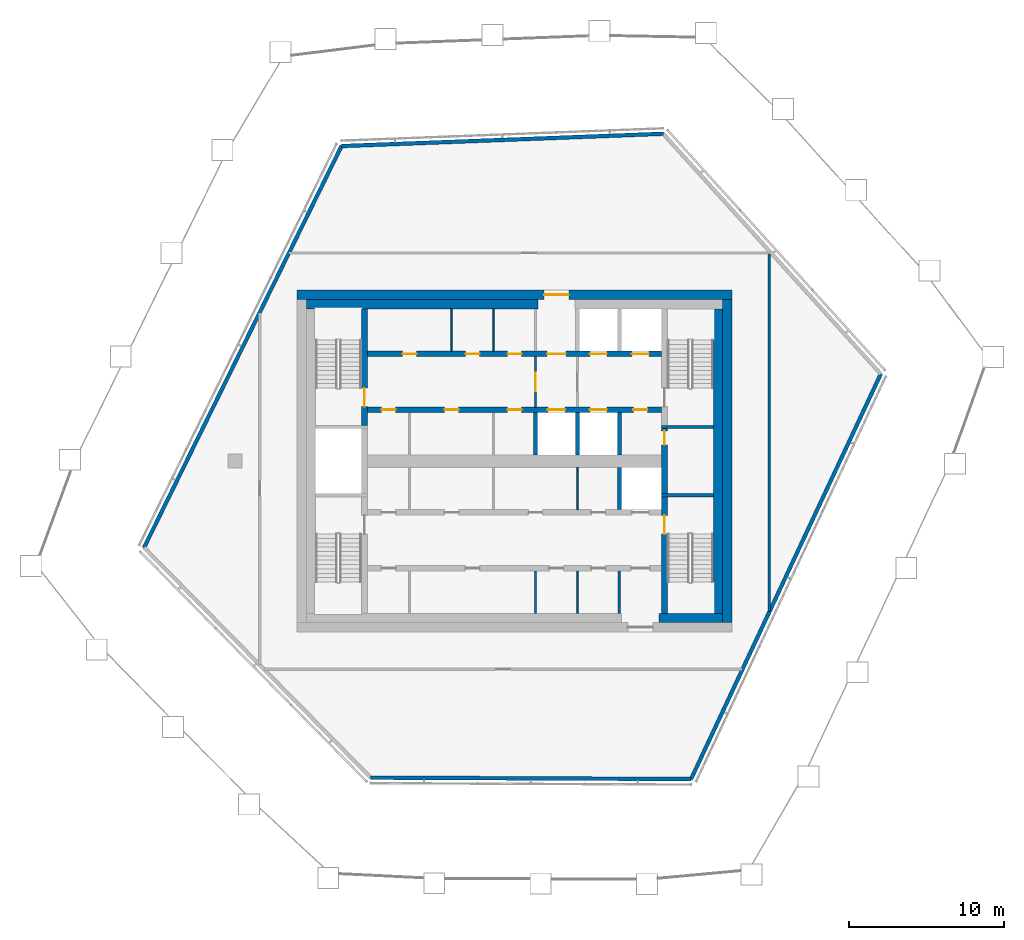
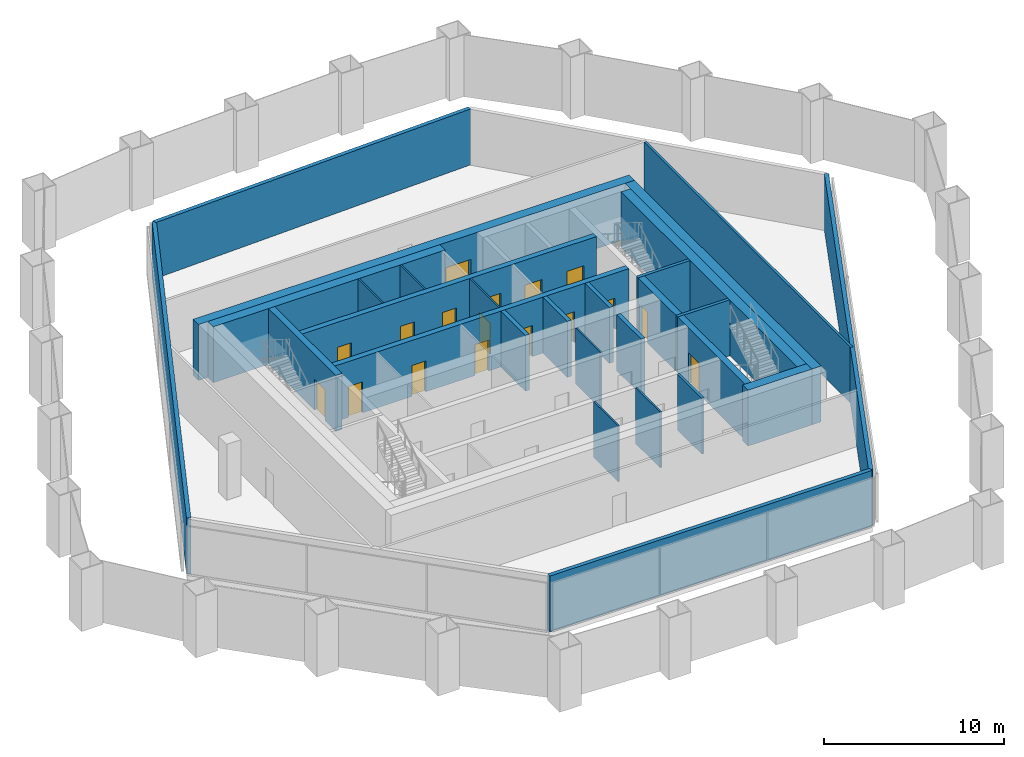
# One storey, part 8 of 18: 28 walls, 17 doors, 17 openings.
"""IFC4 building model written with IfcOpenShell, lengths in metres."""

from ifc_helpers import new_model, si_unit, direction, frame, frame_2d, origin, place, context, subcontext, project, spatial, rectangle, extrude, material, layer, layer_set, type_object, element, fill, save


model = new_model("IFC4")

# Units and contexts
model_context = context("Model", 3, precision=1e-05, world=origin(), true_north=direction((0.0, 1.0)))
body_context = subcontext(model_context, "Body", "Model", "MODEL_VIEW")
ifc_project = project(units=[si_unit("LENGTHUNIT", "METRE"), si_unit("AREAUNIT", "SQUARE_METRE"), si_unit("VOLUMEUNIT", "CUBIC_METRE"), si_unit("PLANEANGLEUNIT", "RADIAN"), si_unit("MASSUNIT", "GRAM", prefix="KILO")], contexts=[model_context])

# Site, building, storey
site_placement = place(None, origin())
site = spatial("IfcSite", under=ifc_project, at=site_placement, CompositionType="ELEMENT")
building_placement = place(site_placement, origin())
building = spatial("IfcBuilding", under=site, at=building_placement, Name="Dongbaek Canopy Tower", CompositionType="ELEMENT")
storey_placement = place(building_placement, frame((0.0, 0.0, 367.39990234375)))
storey = spatial("IfcBuildingStorey", under=building, at=storey_placement, Name="L79", CompositionType="ELEMENT", Elevation=367.39990234375)

# Wall, openings, doors
ifc_material_1 = material(Name="Concrete C60/75", Category="concrete")
ifc_layer_1 = layer(ifc_material_1, 0.35009765625)
ifc_layer_set_1 = layer_set([ifc_layer_1], Name="Core lobby wall 350 Concrete C60/75")
wall_type_1 = type_object("IfcWallType", Name="Core lobby wall 350 Concrete C60/75", PredefinedType="SHEAR", material=ifc_layer_set_1)
wall_1_placement = place(storey_placement, frame((-9.449951171875, 6.89990234375, 0.0), z_axis=(0.0, 0.0, 1.0), x_axis=(1.0, 0.0, 0.0)))
wall_1 = element("IfcWall", 1, at=wall_1_placement, inside=storey, type_object=wall_type_1, Name="Core wall", PredefinedType="SHEAR", context=body_context, shape_type="SweptSolid", body=[
    extrude(rectangle(XDim=18.89990234375, YDim=0.35009765625, at=frame_2d((9.449951171875, 0.0))), origin(), (0.0, 0.0, 1.0), 3.800048828125),
])
opening_1_placement = place(wall_1_placement, frame((11.550048828125, 0.0, 0.0)))
opening_1 = element("IfcOpeningElement", 2, at=opening_1_placement, cuts=wall_1, Name="Opening L79-D006", PredefinedType="OPENING", context=body_context, shape_type="SweptSolid", body=[
    extrude(rectangle(XDim=1.199951171875, YDim=2.10009765625, at=frame_2d((0.60009765625, 1.050048828125))), frame((0.0, 0.18505859375, 0.0), z_axis=(0.0, -1.0, 0.0), x_axis=(1.0, 0.0, 0.0)), (0.0, 0.0, 1.0), 0.3701171875),
])
opening_2_placement = place(wall_1_placement, frame((14.300048828125, 0.0, 0.0)))
opening_2 = element("IfcOpeningElement", 3, at=opening_2_placement, cuts=wall_1, Name="Opening L79-D007", PredefinedType="OPENING", context=body_context, shape_type="SweptSolid", body=[
    extrude(rectangle(XDim=1.10009765625, YDim=2.10009765625, at=frame_2d((0.550048828125, 1.050048828125))), frame((0.0, 0.18505859375, 0.0), z_axis=(0.0, -1.0, 0.0), x_axis=(1.0, 0.0, 0.0)), (0.0, 0.0, 1.0), 0.3701171875),
])
opening_3_placement = place(wall_1_placement, frame((17.0, 0.0, 0.0)))
opening_3 = element("IfcOpeningElement", 4, at=opening_3_placement, cuts=wall_1, Name="Opening L79-D008", PredefinedType="OPENING", context=body_context, shape_type="SweptSolid", body=[
    extrude(rectangle(XDim=1.10009765625, YDim=2.10009765625, at=frame_2d((0.550048828125, 1.050048828125))), frame((0.0, 0.18505859375, 0.0), z_axis=(0.0, -1.0, 0.0), x_axis=(1.0, 0.0, 0.0)), (0.0, 0.0, 1.0), 0.3701171875),
])
opening_4_placement = place(wall_1_placement, frame((2.25, 0.0, 0.0)))
opening_4 = element("IfcOpeningElement", 5, at=opening_4_placement, cuts=wall_1, Name="Opening L79-D015", PredefinedType="OPENING", context=body_context, shape_type="SweptSolid", body=[
    extrude(rectangle(XDim=0.89990234375, YDim=2.10009765625, at=frame_2d((0.449951171875, 1.050048828125))), frame((0.0, 0.18505859375, 0.0), z_axis=(0.0, -1.0, 0.0), x_axis=(1.0, 0.0, 0.0)), (0.0, 0.0, 1.0), 0.3701171875),
])
opening_5_placement = place(wall_1_placement, frame((6.300048828125, 0.0, 0.0)))
opening_5 = element("IfcOpeningElement", 6, at=opening_5_placement, cuts=wall_1, Name="Opening L79-D016", PredefinedType="OPENING", context=body_context, shape_type="SweptSolid", body=[
    extrude(rectangle(XDim=0.89990234375, YDim=2.10009765625, at=frame_2d((0.449951171875, 1.050048828125))), frame((0.0, 0.18505859375, 0.0), z_axis=(0.0, -1.0, 0.0), x_axis=(1.0, 0.0, 0.0)), (0.0, 0.0, 1.0), 0.3701171875),
])
opening_6_placement = place(wall_1_placement, frame((9.0, 0.0, 0.0)))
opening_6 = element("IfcOpeningElement", 7, at=opening_6_placement, cuts=wall_1, Name="Opening L79-D017", PredefinedType="OPENING", context=body_context, shape_type="SweptSolid", body=[
    extrude(rectangle(XDim=0.89990234375, YDim=2.10009765625, at=frame_2d((0.449951171875, 1.050048828125))), frame((0.0, 0.18505859375, 0.0), z_axis=(0.0, -1.0, 0.0), x_axis=(1.0, 0.0, 0.0)), (0.0, 0.0, 1.0), 0.3701171875),
])
ifc_material_2 = material(Name="Steel", Category="steel")
door_type_1 = type_object("IfcDoorType", Name="Core room door 900 x 2100", OperationType="SINGLE_SWING_LEFT", PredefinedType="DOOR", material=ifc_material_2)
door_1_placement = place(opening_4_placement, origin())
door_1 = element("IfcDoor", 8, at=door_1_placement, inside=storey, type_object=door_type_1, Name="Door L79-D015", OperationType="SINGLE_SWING_RIGHT", OverallHeight=2.10009765625, OverallWidth=0.89990234375, PredefinedType="DOOR", context=body_context, shape_type="SweptSolid", body=[
    extrude(rectangle(XDim=0.89990234375, YDim=2.10009765625, at=frame_2d((0.449951171875, 1.050048828125))), frame((0.0, 0.02490234375, 0.0), z_axis=(0.0, -1.0, 0.0), x_axis=(1.0, 0.0, 0.0)), (0.0, 0.0, 1.0), 0.050048828125),
])
fill(opening_4, door_1)
door_2_placement = place(opening_5_placement, origin())
door_2 = element("IfcDoor", 9, at=door_2_placement, inside=storey, type_object=door_type_1, Name="Door L79-D016", OperationType="SINGLE_SWING_LEFT", OverallHeight=2.10009765625, OverallWidth=0.89990234375, PredefinedType="DOOR", context=body_context, shape_type="SweptSolid", body=[
    extrude(rectangle(XDim=0.89990234375, YDim=2.10009765625, at=frame_2d((0.449951171875, 1.050048828125))), frame((0.0, 0.02490234375, 0.0), z_axis=(0.0, -1.0, 0.0), x_axis=(1.0, 0.0, 0.0)), (0.0, 0.0, 1.0), 0.050048828125),
])
fill(opening_5, door_2)
door_3_placement = place(opening_6_placement, origin())
door_3 = element("IfcDoor", 10, at=door_3_placement, inside=storey, type_object=door_type_1, Name="Door L79-D017", OperationType="SINGLE_SWING_RIGHT", OverallHeight=2.10009765625, OverallWidth=0.89990234375, PredefinedType="DOOR", context=body_context, shape_type="SweptSolid", body=[
    extrude(rectangle(XDim=0.89990234375, YDim=2.10009765625, at=frame_2d((0.449951171875, 1.050048828125))), frame((0.0, 0.02490234375, 0.0), z_axis=(0.0, -1.0, 0.0), x_axis=(1.0, 0.0, 0.0)), (0.0, 0.0, 1.0), 0.050048828125),
])
fill(opening_6, door_3)
ifc_material_3 = material(Name="Steel", Category="steel")
door_type_2 = type_object("IfcDoorType", Name="Fire lobby door 1200 x 2100", OperationType="SINGLE_SWING_LEFT", PredefinedType="DOOR", material=ifc_material_3)
door_4_placement = place(opening_1_placement, origin())
door_4 = element("IfcDoor", 11, at=door_4_placement, inside=storey, type_object=door_type_2, Name="Door L79-D006", OperationType="SINGLE_SWING_LEFT", OverallHeight=2.10009765625, OverallWidth=1.199951171875, PredefinedType="DOOR", context=body_context, shape_type="SweptSolid", body=[
    extrude(rectangle(XDim=1.199951171875, YDim=2.10009765625, at=frame_2d((0.60009765625, 1.050048828125))), frame((0.0, 0.02490234375, 0.0), z_axis=(0.0, -1.0, 0.0), x_axis=(1.0, 0.0, 0.0)), (0.0, 0.0, 1.0), 0.050048828125),
])
fill(opening_1, door_4)
ifc_material_4 = material(Name="Stainless steel", Category="steel")
door_type_3 = type_object("IfcDoorType", Name="Lift landing door 1100 x 2100", OperationType="DOUBLE_DOOR_SLIDING", PredefinedType="DOOR", material=ifc_material_4)
door_5_placement = place(opening_2_placement, origin())
door_5 = element("IfcDoor", 12, at=door_5_placement, inside=storey, type_object=door_type_3, Name="Landing door FF1", OperationType="DOUBLE_DOOR_SLIDING", OverallHeight=2.10009765625, OverallWidth=1.10009765625, PredefinedType="DOOR", context=body_context, shape_type="SweptSolid", body=[
    extrude(rectangle(XDim=1.10009765625, YDim=2.10009765625, at=frame_2d((0.550048828125, 1.050048828125))), frame((0.0, 0.02490234375, 0.0), z_axis=(0.0, -1.0, 0.0), x_axis=(1.0, 0.0, 0.0)), (0.0, 0.0, 1.0), 0.050048828125),
])
fill(opening_2, door_5)
door_6_placement = place(opening_3_placement, origin())
door_6 = element("IfcDoor", 13, at=door_6_placement, inside=storey, type_object=door_type_3, Name="Landing door FF2", OperationType="DOUBLE_DOOR_SLIDING", OverallHeight=2.10009765625, OverallWidth=1.10009765625, PredefinedType="DOOR", context=body_context, shape_type="SweptSolid", body=[
    extrude(rectangle(XDim=1.10009765625, YDim=2.10009765625, at=frame_2d((0.550048828125, 1.050048828125))), frame((0.0, 0.02490234375, 0.0), z_axis=(0.0, -1.0, 0.0), x_axis=(1.0, 0.0, 0.0)), (0.0, 0.0, 1.0), 0.050048828125),
])
fill(opening_3, door_6)

wall_2_placement = place(storey_placement, frame((9.449951171875, 3.300048828125, 0.0), z_axis=(0.0, 0.0, 1.0), x_axis=(-1.0, 0.0, 0.0)))
wall_2 = element("IfcWall", 14, at=wall_2_placement, inside=storey, type_object=wall_type_1, Name="Core wall", PredefinedType="SHEAR", context=body_context, shape_type="SweptSolid", body=[
    extrude(rectangle(XDim=18.89990234375, YDim=0.35009765625, at=frame_2d((9.449951171875, 0.0))), origin(), (0.0, 0.0, 1.0), 3.800048828125),
])
opening_7_placement = place(wall_2_placement, frame((6.199951171875, 0.0, 0.0)))
opening_7 = element("IfcOpeningElement", 15, at=opening_7_placement, cuts=wall_2, Name="Opening L79-D009", PredefinedType="OPENING", context=body_context, shape_type="SweptSolid", body=[
    extrude(rectangle(XDim=1.10009765625, YDim=2.10009765625, at=frame_2d((0.550048828125, 1.050048828125))), frame((0.0, 0.18505859375, 0.0), z_axis=(0.0, -1.0, 0.0), x_axis=(1.0, 0.0, 0.0)), (0.0, 0.0, 1.0), 0.3701171875),
])
opening_8_placement = place(wall_2_placement, frame((3.5, 0.0, 0.0)))
opening_8 = element("IfcOpeningElement", 16, at=opening_8_placement, cuts=wall_2, Name="Opening L79-D010", PredefinedType="OPENING", context=body_context, shape_type="SweptSolid", body=[
    extrude(rectangle(XDim=1.10009765625, YDim=2.10009765625, at=frame_2d((0.550048828125, 1.050048828125))), frame((0.0, 0.18505859375, 0.0), z_axis=(0.0, -1.0, 0.0), x_axis=(1.0, 0.0, 0.0)), (0.0, 0.0, 1.0), 0.3701171875),
])
opening_9_placement = place(wall_2_placement, frame((0.89990234375, 0.0, 0.0)))
opening_9 = element("IfcOpeningElement", 17, at=opening_9_placement, cuts=wall_2, Name="Opening L79-D011", PredefinedType="OPENING", context=body_context, shape_type="SweptSolid", body=[
    extrude(rectangle(XDim=0.89990234375, YDim=2.10009765625, at=frame_2d((0.449951171875, 1.050048828125))), frame((0.0, 0.18505859375, 0.0), z_axis=(0.0, -1.0, 0.0), x_axis=(1.0, 0.0, 0.0)), (0.0, 0.0, 1.0), 0.3701171875),
])
opening_10_placement = place(wall_2_placement, frame((17.10009765625, 0.0, 0.0)))
opening_10 = element("IfcOpeningElement", 18, at=opening_10_placement, cuts=wall_2, Name="Opening L79-D018", PredefinedType="OPENING", context=body_context, shape_type="SweptSolid", body=[
    extrude(rectangle(XDim=0.89990234375, YDim=2.10009765625, at=frame_2d((0.449951171875, 1.050048828125))), frame((0.0, 0.18505859375, 0.0), z_axis=(0.0, -1.0, 0.0), x_axis=(1.0, 0.0, 0.0)), (0.0, 0.0, 1.0), 0.3701171875),
])
opening_11_placement = place(wall_2_placement, frame((13.050048828125, 0.0, 0.0)))
opening_11 = element("IfcOpeningElement", 19, at=opening_11_placement, cuts=wall_2, Name="Opening L79-D019", PredefinedType="OPENING", context=body_context, shape_type="SweptSolid", body=[
    extrude(rectangle(XDim=0.89990234375, YDim=2.10009765625, at=frame_2d((0.449951171875, 1.050048828125))), frame((0.0, 0.18505859375, 0.0), z_axis=(0.0, -1.0, 0.0), x_axis=(1.0, 0.0, 0.0)), (0.0, 0.0, 1.0), 0.3701171875),
])
opening_12_placement = place(wall_2_placement, frame((9.0, 0.0, 0.0)))
opening_12 = element("IfcOpeningElement", 20, at=opening_12_placement, cuts=wall_2, Name="Opening L79-D020", PredefinedType="OPENING", context=body_context, shape_type="SweptSolid", body=[
    extrude(rectangle(XDim=0.89990234375, YDim=2.10009765625, at=frame_2d((0.449951171875, 1.050048828125))), frame((0.0, 0.18505859375, 0.0), z_axis=(0.0, -1.0, 0.0), x_axis=(1.0, 0.0, 0.0)), (0.0, 0.0, 1.0), 0.3701171875),
])
door_7_placement = place(opening_9_placement, origin())
door_7 = element("IfcDoor", 21, at=door_7_placement, inside=storey, type_object=door_type_1, Name="Door L79-D011", OperationType="SINGLE_SWING_LEFT", OverallHeight=2.10009765625, OverallWidth=0.89990234375, PredefinedType="DOOR", context=body_context, shape_type="SweptSolid", body=[
    extrude(rectangle(XDim=0.89990234375, YDim=2.10009765625, at=frame_2d((0.449951171875, 1.050048828125))), frame((0.0, 0.02490234375, 0.0), z_axis=(0.0, -1.0, 0.0), x_axis=(1.0, 0.0, 0.0)), (0.0, 0.0, 1.0), 0.050048828125),
])
fill(opening_9, door_7)
door_8_placement = place(opening_10_placement, origin())
door_8 = element("IfcDoor", 22, at=door_8_placement, inside=storey, type_object=door_type_1, Name="Door L79-D018", OperationType="SINGLE_SWING_LEFT", OverallHeight=2.10009765625, OverallWidth=0.89990234375, PredefinedType="DOOR", context=body_context, shape_type="SweptSolid", body=[
    extrude(rectangle(XDim=0.89990234375, YDim=2.10009765625, at=frame_2d((0.449951171875, 1.050048828125))), frame((0.0, 0.02490234375, 0.0), z_axis=(0.0, -1.0, 0.0), x_axis=(1.0, 0.0, 0.0)), (0.0, 0.0, 1.0), 0.050048828125),
])
fill(opening_10, door_8)
door_9_placement = place(opening_11_placement, origin())
door_9 = element("IfcDoor", 23, at=door_9_placement, inside=storey, type_object=door_type_1, Name="Door L79-D019", OperationType="SINGLE_SWING_RIGHT", OverallHeight=2.10009765625, OverallWidth=0.89990234375, PredefinedType="DOOR", context=body_context, shape_type="SweptSolid", body=[
    extrude(rectangle(XDim=0.89990234375, YDim=2.10009765625, at=frame_2d((0.449951171875, 1.050048828125))), frame((0.0, 0.02490234375, 0.0), z_axis=(0.0, -1.0, 0.0), x_axis=(1.0, 0.0, 0.0)), (0.0, 0.0, 1.0), 0.050048828125),
])
fill(opening_11, door_9)
door_10_placement = place(opening_12_placement, origin())
door_10 = element("IfcDoor", 24, at=door_10_placement, inside=storey, type_object=door_type_1, Name="Door L79-D020", OperationType="SINGLE_SWING_LEFT", OverallHeight=2.10009765625, OverallWidth=0.89990234375, PredefinedType="DOOR", context=body_context, shape_type="SweptSolid", body=[
    extrude(rectangle(XDim=0.89990234375, YDim=2.10009765625, at=frame_2d((0.449951171875, 1.050048828125))), frame((0.0, 0.02490234375, 0.0), z_axis=(0.0, -1.0, 0.0), x_axis=(1.0, 0.0, 0.0)), (0.0, 0.0, 1.0), 0.050048828125),
])
fill(opening_12, door_10)
door_11_placement = place(opening_7_placement, origin())
door_11 = element("IfcDoor", 25, at=door_11_placement, inside=storey, type_object=door_type_3, Name="Landing door SV1", OperationType="DOUBLE_DOOR_SLIDING", OverallHeight=2.10009765625, OverallWidth=1.10009765625, PredefinedType="DOOR", context=body_context, shape_type="SweptSolid", body=[
    extrude(rectangle(XDim=1.10009765625, YDim=2.10009765625, at=frame_2d((0.550048828125, 1.050048828125))), frame((0.0, 0.02490234375, 0.0), z_axis=(0.0, -1.0, 0.0), x_axis=(1.0, 0.0, 0.0)), (0.0, 0.0, 1.0), 0.050048828125),
])
fill(opening_7, door_11)
door_12_placement = place(opening_8_placement, origin())
door_12 = element("IfcDoor", 26, at=door_12_placement, inside=storey, type_object=door_type_3, Name="Landing door FF3", OperationType="DOUBLE_DOOR_SLIDING", OverallHeight=2.10009765625, OverallWidth=1.10009765625, PredefinedType="DOOR", context=body_context, shape_type="SweptSolid", body=[
    extrude(rectangle(XDim=1.10009765625, YDim=2.10009765625, at=frame_2d((0.550048828125, 1.050048828125))), frame((0.0, 0.02490234375, 0.0), z_axis=(0.0, -1.0, 0.0), x_axis=(1.0, 0.0, 0.0)), (0.0, 0.0, 1.0), 0.050048828125),
])
fill(opening_8, door_12)

# Wall, opening, door
ifc_material_5 = material(Name="Concrete C80/95", Category="concrete")
ifc_layer_2 = layer(ifc_material_5, 0.60009765625)
ifc_layer_set_2 = layer_set([ifc_layer_2], Name="Core outer wall 600 Concrete C80/95")
wall_type_2 = type_object("IfcWallType", Name="Core outer wall 600 Concrete C80/95", PredefinedType="SHEAR", material=ifc_layer_set_2)
wall_3_placement = place(storey_placement, frame((-14.0, 10.699951171875, 0.0), z_axis=(0.0, 0.0, 1.0), x_axis=(1.0, 0.0, 0.0)))
wall_3 = element("IfcWall", 27, at=wall_3_placement, inside=storey, type_object=wall_type_2, Name="Core wall", PredefinedType="SHEAR", context=body_context, shape_type="SweptSolid", body=[
    extrude(rectangle(XDim=28.0, YDim=0.60009765625, at=frame_2d((14.0, 0.0))), origin(), (0.0, 0.0, 1.0), 3.800048828125),
])
opening_13_placement = place(wall_3_placement, frame((15.89990234375, 0.0, 0.0)))
opening_13 = element("IfcOpeningElement", 28, at=opening_13_placement, cuts=wall_3, Name="Opening L79-D005", PredefinedType="OPENING", context=body_context, shape_type="SweptSolid", body=[
    extrude(rectangle(XDim=1.60009765625, YDim=2.10009765625, at=frame_2d((0.800048828125, 1.050048828125))), frame((0.0, 0.31005859375, 0.0), z_axis=(0.0, -1.0, 0.0), x_axis=(1.0, 0.0, 0.0)), (0.0, 0.0, 1.0), 0.6201171875),
])
ifc_material_6 = material(Name="Steel", Category="steel")
door_type_4 = type_object("IfcDoorType", Name="Core exit door 1600 x 2100", OperationType="DOUBLE_DOOR_SINGLE_SWING", PredefinedType="DOOR", material=ifc_material_6)
door_13_placement = place(opening_13_placement, origin())
door_13 = element("IfcDoor", 29, at=door_13_placement, inside=storey, type_object=door_type_4, Name="Core exit door", OperationType="DOUBLE_DOOR_SINGLE_SWING", OverallHeight=2.10009765625, OverallWidth=1.60009765625, PredefinedType="DOOR", context=body_context, shape_type="SweptSolid", body=[
    extrude(rectangle(XDim=1.60009765625, YDim=2.10009765625, at=frame_2d((0.800048828125, 1.050048828125))), frame((0.0, 0.02490234375, 0.0), z_axis=(0.0, -1.0, 0.0), x_axis=(1.0, 0.0, 0.0)), (0.0, 0.0, 1.0), 0.050048828125),
])
fill(opening_13, door_13)

# Walls
wall_4_placement = place(storey_placement, frame((13.699951171875, 10.39990234375, 0.0), z_axis=(0.0, 0.0, 1.0), x_axis=(0.0, -1.0, 0.0)))
element("IfcWall", 30, at=wall_4_placement, inside=storey, type_object=wall_type_2, Name="Core wall", PredefinedType="SHEAR", context=body_context, shape_type="SweptSolid", body=[
    extrude(rectangle(XDim=20.7998046875, YDim=0.60009765625, at=frame_2d((10.39990234375, 0.0))), origin(), (0.0, 0.0, 1.0), 3.800048828125),
])
ifc_material_7 = material(Name="Concrete C60/75", Category="concrete")
ifc_layer_3 = layer(ifc_material_7, 0.60009765625)
ifc_layer_set_3 = layer_set([ifc_layer_3], Name="Core wall lining 600 Concrete C60/75")
wall_type_3 = type_object("IfcWallType", Name="Core wall lining 600 Concrete C60/75", PredefinedType="SHEAR", material=ifc_layer_set_3)
wall_5_placement = place(storey_placement, frame((-13.39990234375, 10.10009765625, 0.0), z_axis=(0.0, 0.0, 1.0), x_axis=(1.0, 0.0, 0.0)))
element("IfcWall", 31, at=wall_5_placement, inside=storey, type_object=wall_type_3, Name="Core wall lining", PredefinedType="SHEAR", context=body_context, shape_type="SweptSolid", body=[
    extrude(rectangle(XDim=14.89990234375, YDim=0.60009765625, at=frame_2d((7.449951171875, 0.0))), origin(), (0.0, 0.0, 1.0), 3.800048828125),
])
wall_6_placement = place(storey_placement, frame((13.39990234375, -10.10009765625, 0.0), z_axis=(0.0, 0.0, 1.0), x_axis=(-1.0, 0.0, 0.0)))
element("IfcWall", 32, at=wall_6_placement, inside=storey, type_object=wall_type_3, Name="Core wall lining", PredefinedType="SHEAR", context=body_context, shape_type="SweptSolid", body=[
    extrude(rectangle(XDim=4.099853515625, YDim=0.60009765625, at=frame_2d((2.0498046875, 0.0))), origin(), (0.0, 0.0, 1.0), 3.800048828125),
])
wall_7_placement = place(storey_placement, frame((13.10009765625, 9.800048828125, 0.0), z_axis=(0.0, 0.0, 1.0), x_axis=(0.0, -1.0, 0.0)))
element("IfcWall", 33, at=wall_7_placement, inside=storey, type_object=wall_type_3, Name="Core wall lining", PredefinedType="SHEAR", context=body_context, shape_type="SweptSolid", body=[
    extrude(rectangle(XDim=19.60009765625, YDim=0.60009765625, at=frame_2d((9.800048828125, 0.0))), origin(), (0.0, 0.0, 1.0), 3.800048828125),
])
ifc_material_8 = material(Name="Gypsum board partition, steel stud, 2 x 15 mm fire board", Category="steel")
ifc_layer_4 = layer(ifc_material_8, 0.14990234375)
ifc_layer_set_4 = layer_set([ifc_layer_4], Name="Fire-rated partition 150 gypsum board")
wall_type_4 = type_object("IfcWallType", Name="Fire-rated partition 150 gypsum board", PredefinedType="PARTITIONING", material=ifc_layer_set_4)
wall_8_placement = place(storey_placement, frame((16.39990234375, -9.676025390625, 0.0), z_axis=(0.0, 0.0, 1.0), x_axis=(0.0, 1.0, 0.0)))
element("IfcWall", 34, at=wall_8_placement, inside=storey, type_object=wall_type_4, Name="Corridor partition", PredefinedType="PARTITIONING", context=body_context, shape_type="SweptSolid", body=[
    extrude(rectangle(XDim=23.0009765625, YDim=0.14990234375, at=frame_2d((11.50048828125, 0.0))), origin(), (0.0, 0.0, 1.0), 3.800048828125),
])
wall_9_placement = place(storey_placement, frame((6.75, -9.800048828125, 0.0), z_axis=(0.0, 0.0, 1.0), x_axis=(0.0, 1.0, 0.0)))
element("IfcWall", 35, at=wall_9_placement, inside=storey, type_object=wall_type_4, Name="Fire lobby partition", PredefinedType="PARTITIONING", context=body_context, shape_type="SweptSolid", body=[
    extrude(rectangle(XDim=2.72509765625, YDim=0.14990234375, at=frame_2d((1.362548828125, 0.0))), origin(), (0.0, 0.0, 1.0), 3.800048828125),
])
ifc_material_9 = material(Name="Concrete C40/50", Category="concrete")
ifc_layer_5 = layer(ifc_material_9, 0.25)
ifc_layer_set_5 = layer_set([ifc_layer_5], Name="Lift shaft wall 250 Concrete C40/50")
wall_type_5 = type_object("IfcWallType", Name="Lift shaft wall 250 Concrete C40/50", PredefinedType="SOLIDWALL", material=ifc_layer_set_5)
for number, where, z_axis, x_axis, name in (
    (36, (6.75, -3.125, 0.0), (0.0, 0.0, 1.0), (0.0, 1.0, 0.0), "Lift shaft wall"),
    (37, (6.75, 0.39990234375, 0.0), (0.0, 0.0, 1.0), (0.0, 1.0, 0.0), "Lift shaft wall"),
    (38, (4.050048828125, 0.39990234375, 0.0), (0.0, 0.0, 1.0), (0.0, 1.0, 0.0), "Lift shaft wall"),
    (39, (1.35009765625, 0.39990234375, 0.0), (0.0, 0.0, 1.0), (0.0, 1.0, 0.0), "Lift shaft wall"),
):
    element("IfcWall", number, at=place(storey_placement, frame(where, z_axis=z_axis, x_axis=x_axis)), inside=storey, type_object=wall_type_5, Name=name, PredefinedType="SOLIDWALL", context=body_context, shape_type="SweptSolid", body=[
        extrude(rectangle(XDim=2.72509765625, YDim=0.25, at=frame_2d((1.362548828125, 0.0))), origin(), (0.0, 0.0, 1.0), 3.800048828125),
    ])
ifc_material_10 = material(Name="Gypsum board partition, steel stud, 2 x 12.5 mm board", Category="steel")
ifc_layer_6 = layer(ifc_material_10, 0.10009765625)
ifc_layer_set_6 = layer_set([ifc_layer_6], Name="Partition 100 gypsum board")
wall_type_6 = type_object("IfcWallType", Name="Partition 100 gypsum board", PredefinedType="PARTITIONING", material=ifc_layer_set_6)
for number, where, z_axis, x_axis, name in (
    (40, (4.050048828125, -9.800048828125, 0.0), (0.0, 0.0, 1.0), (0.0, 1.0, 0.0), "Core partition"),
    (41, (4.050048828125, -3.125, 0.0), (0.0, 0.0, 1.0), (0.0, 1.0, 0.0), "Core partition"),
    (42, (1.35009765625, -9.800048828125, 0.0), (0.0, 0.0, 1.0), (0.0, 1.0, 0.0), "Core partition"),
):
    element("IfcWall", number, at=place(storey_placement, frame(where, z_axis=z_axis, x_axis=x_axis)), inside=storey, type_object=wall_type_6, Name=name, PredefinedType="PARTITIONING", context=body_context, shape_type="SweptSolid", body=[
        extrude(rectangle(XDim=2.72509765625, YDim=0.10009765625, at=frame_2d((1.362548828125, 0.0))), origin(), (0.0, 0.0, 1.0), 3.800048828125),
    ])

# Wall, opening, door
wall_10_placement = place(storey_placement, frame((1.35009765625, 6.72509765625, 0.0), z_axis=(0.0, 0.0, 1.0), x_axis=(0.0, -1.0, 0.0)))
wall_10 = element("IfcWall", 43, at=wall_10_placement, inside=storey, type_object=wall_type_6, Name="Core partition", PredefinedType="PARTITIONING", context=body_context, shape_type="SweptSolid", body=[
    extrude(rectangle(XDim=3.25, YDim=0.10009765625, at=frame_2d((1.625, 0.0))), origin(), (0.0, 0.0, 1.0), 3.800048828125),
])
opening_14_placement = place(wall_10_placement, frame((1.02490234375, 0.0, 0.0)))
opening_14 = element("IfcOpeningElement", 44, at=opening_14_placement, cuts=wall_10, Name="Opening L79-D033", PredefinedType="OPENING", context=body_context, shape_type="SweptSolid", body=[
    extrude(rectangle(XDim=1.199951171875, YDim=2.10009765625, at=frame_2d((0.60009765625, 1.050048828125))), frame((0.0, 0.06005859375, 0.0), z_axis=(0.0, -1.0, 0.0), x_axis=(1.0, 0.0, 0.0)), (0.0, 0.0, 1.0), 0.1201171875),
])
door_14_placement = place(opening_14_placement, origin())
door_14 = element("IfcDoor", 45, at=door_14_placement, inside=storey, type_object=door_type_2, Name="Door L79-D033", OperationType="SINGLE_SWING_LEFT", OverallHeight=2.10009765625, OverallWidth=1.199951171875, PredefinedType="DOOR", context=body_context, shape_type="SweptSolid", body=[
    extrude(rectangle(XDim=1.199951171875, YDim=2.10009765625, at=frame_2d((0.60009765625, 1.050048828125))), frame((0.0, 0.02490234375, 0.0), z_axis=(0.0, -1.0, 0.0), x_axis=(1.0, 0.0, 0.0)), (0.0, 0.0, 1.0), 0.050048828125),
])
fill(opening_14, door_14)

# Walls
for number, where, z_axis, x_axis, name in (
    (46, (-1.35009765625, 7.074951171875, 0.0), (0.0, 0.0, 1.0), (0.0, 1.0, 0.0), "Core partition"),
    (47, (-4.050048828125, 7.074951171875, 0.0), (0.0, 0.0, 1.0), (0.0, 1.0, 0.0), "Core partition"),
):
    element("IfcWall", number, at=place(storey_placement, frame(where, z_axis=z_axis, x_axis=x_axis)), inside=storey, type_object=wall_type_6, Name=name, PredefinedType="PARTITIONING", context=body_context, shape_type="SweptSolid", body=[
        extrude(rectangle(XDim=2.72509765625, YDim=0.10009765625, at=frame_2d((1.362548828125, 0.0))), origin(), (0.0, 0.0, 1.0), 3.800048828125),
    ])
ifc_material_11 = material(Name="Pale metal cladding on insulated wall")
ifc_layer_7 = layer(ifc_material_11, 0.25)
ifc_layer_set_7 = layer_set([ifc_layer_7], Name="Plant floor wall 250")
wall_type_7 = type_object("IfcWallType", Name="Plant floor wall 250", PredefinedType="SOLIDWALL", material=ifc_layer_set_7)
wall_11_placement = place(storey_placement, frame((-9.265869140625, -20.376708984375, 0.0), z_axis=(0.0, 0.0, 1.0), x_axis=(0.999990050783, -0.004460755013, 0.0)))
element("IfcWall", 48, at=wall_11_placement, inside=storey, type_object=wall_type_7, Name="Plant wall L79 F0 1", PredefinedType="SOLIDWALL", context=body_context, shape_type="SweptSolid", body=[
    extrude(rectangle(XDim=20.633544921875, YDim=0.25, at=frame_2d((10.31689453125, 0.0))), origin(), (0.0, 0.0, 1.0), 3.800048828125),
])
wall_12_placement = place(storey_placement, frame((11.367431640625, -20.46875, 0.0), z_axis=(0.0, 0.0, 1.0), x_axis=(0.424125024155, 0.905603646131, 0.0)))
element("IfcWall", 49, at=wall_12_placement, inside=storey, type_object=wall_type_7, Name="Plant wall L79 F1 1", PredefinedType="SOLIDWALL", context=body_context, shape_type="SweptSolid", body=[
    extrude(rectangle(XDim=28.80126953125, YDim=0.25, at=frame_2d((14.400634765625, 0.0))), origin(), (0.0, 0.0, 1.0), 3.800048828125),
])
wall_13_placement = place(storey_placement, frame((9.583251953125, 21.072509765625, 0.0), z_axis=(0.0, 0.0, 1.0), x_axis=(-0.999269048775, -0.038227845343, 0.0)))
element("IfcWall", 50, at=wall_13_placement, inside=storey, type_object=wall_type_7, Name="Plant wall L79 F3 1", PredefinedType="SOLIDWALL", context=body_context, shape_type="SweptSolid", body=[
    extrude(rectangle(XDim=20.73681640625, YDim=0.25, at=frame_2d((10.368408203125, 0.0))), origin(), (0.0, 0.0, 1.0), 3.800048828125),
])
wall_14_placement = place(storey_placement, frame((-11.138427734375, 20.27978515625, 0.0), z_axis=(0.0, 0.0, 1.0), x_axis=(-0.441342255748, -0.897338850876, 0.0)))
element("IfcWall", 51, at=wall_14_placement, inside=storey, type_object=wall_type_7, Name="Plant wall L79 F4 1", PredefinedType="SOLIDWALL", context=body_context, shape_type="SweptSolid", body=[
    extrude(rectangle(XDim=28.80517578125, YDim=0.25, at=frame_2d((14.402587890625, 0.0))), origin(), (0.0, 0.0, 1.0), 3.800048828125),
])
ifc_material_12 = material(Name="Concrete C60/75", Category="concrete")
ifc_layer_8 = layer(ifc_material_12, 0.199951171875)
ifc_layer_set_8 = layer_set([ifc_layer_8], Name="Riser wall 200 Concrete C60/75")
wall_type_8 = type_object("IfcWallType", Name="Riser wall 200 Concrete C60/75", PredefinedType="SHEAR", material=ifc_layer_set_8)
for number, where, z_axis, x_axis, name in (
    (52, (9.449951171875, 2.199951171875, 0.0), (0.0, 0.0, 1.0), (1.0, 0.0, 0.0), "Riser wall"),
    (53, (9.449951171875, -2.199951171875, 0.0), (0.0, 0.0, 1.0), (1.0, 0.0, 0.0), "Riser wall"),
):
    element("IfcWall", number, at=place(storey_placement, frame(where, z_axis=z_axis, x_axis=x_axis)), inside=storey, type_object=wall_type_8, Name=name, PredefinedType="SHEAR", context=body_context, shape_type="SweptSolid", body=[
        extrude(rectangle(XDim=3.35009765625, YDim=0.199951171875, at=frame_2d((1.675048828125, 0.0))), origin(), (0.0, 0.0, 1.0), 3.800048828125),
    ])

# Wall, opening, door
ifc_material_13 = material(Name="Concrete C60/75", Category="concrete")
ifc_layer_9 = layer(ifc_material_13, 0.39990234375)
ifc_layer_set_9 = layer_set([ifc_layer_9], Name="Stair wall 400 Concrete C60/75")
wall_type_9 = type_object("IfcWallType", Name="Stair wall 400 Concrete C60/75", PredefinedType="SHEAR", material=ifc_layer_set_9)
wall_15_placement = place(storey_placement, frame((9.64990234375, -2.300048828125, 0.0), z_axis=(0.0, 0.0, 1.0), x_axis=(0.0, -1.0, 0.0)))
wall_15 = element("IfcWall", 54, at=wall_15_placement, inside=storey, type_object=wall_type_9, Name="Stair wall", PredefinedType="SHEAR", context=body_context, shape_type="SweptSolid", body=[
    extrude(rectangle(XDim=7.5, YDim=0.39990234375, at=frame_2d((3.75, 0.0))), origin(), (0.0, 0.0, 1.0), 3.800048828125),
])
opening_15_placement = place(wall_15_placement, frame((1.199951171875, 0.0, 0.0)))
opening_15 = element("IfcOpeningElement", 55, at=opening_15_placement, cuts=wall_15, Name="Opening L79-D031", PredefinedType="OPENING", context=body_context, shape_type="SweptSolid", body=[
    extrude(rectangle(XDim=1.199951171875, YDim=2.10009765625, at=frame_2d((0.60009765625, 1.050048828125))), frame((0.0, 0.2099609375, 0.0), z_axis=(0.0, -1.0, 0.0), x_axis=(1.0, 0.0, 0.0)), (0.0, 0.0, 1.0), 0.419921875),
])
ifc_material_14 = material(Name="Steel", Category="steel")
door_type_5 = type_object("IfcDoorType", Name="Stair door 1200 x 2100", OperationType="SINGLE_SWING_LEFT", PredefinedType="DOOR", material=ifc_material_14)
door_15_placement = place(opening_15_placement, origin())
door_15 = element("IfcDoor", 56, at=door_15_placement, inside=storey, type_object=door_type_5, Name="Stair B door", OperationType="SINGLE_SWING_RIGHT", OverallHeight=2.10009765625, OverallWidth=1.199951171875, PredefinedType="DOOR", context=body_context, shape_type="SweptSolid", body=[
    extrude(rectangle(XDim=1.199951171875, YDim=2.10009765625, at=frame_2d((0.60009765625, 1.050048828125))), frame((0.0, 0.02490234375, 0.0), z_axis=(0.0, -1.0, 0.0), x_axis=(1.0, 0.0, 0.0)), (0.0, 0.0, 1.0), 0.050048828125),
])
fill(opening_15, door_15)

wall_16_placement = place(storey_placement, frame((9.64990234375, 2.10009765625, 0.0), z_axis=(0.0, 0.0, 1.0), x_axis=(0.0, -1.0, 0.0)))
wall_16 = element("IfcWall", 57, at=wall_16_placement, inside=storey, type_object=wall_type_9, Name="Stair wall", PredefinedType="SHEAR", context=body_context, shape_type="SweptSolid", body=[
    extrude(rectangle(XDim=4.2001953125, YDim=0.39990234375, at=frame_2d((2.10009765625, 0.0))), origin(), (0.0, 0.0, 1.0), 3.800048828125),
])
opening_16_placement = place(wall_16_placement, frame((0.14990234375, 0.0, 0.0)))
opening_16 = element("IfcOpeningElement", 58, at=opening_16_placement, cuts=wall_16, Name="Opening L79-D004", PredefinedType="OPENING", context=body_context, shape_type="SweptSolid", body=[
    extrude(rectangle(XDim=0.89990234375, YDim=2.10009765625, at=frame_2d((0.449951171875, 1.050048828125))), frame((0.0, 0.2099609375, 0.0), z_axis=(0.0, -1.0, 0.0), x_axis=(1.0, 0.0, 0.0)), (0.0, 0.0, 1.0), 0.419921875),
])
door_16_placement = place(opening_16_placement, origin())
door_16 = element("IfcDoor", 59, at=door_16_placement, inside=storey, type_object=door_type_1, Name="Door L79-D004", OperationType="SINGLE_SWING_RIGHT", OverallHeight=2.10009765625, OverallWidth=0.89990234375, PredefinedType="DOOR", context=body_context, shape_type="SweptSolid", body=[
    extrude(rectangle(XDim=0.89990234375, YDim=2.10009765625, at=frame_2d((0.449951171875, 1.050048828125))), frame((0.0, 0.02490234375, 0.0), z_axis=(0.0, -1.0, 0.0), x_axis=(1.0, 0.0, 0.0)), (0.0, 0.0, 1.0), 0.050048828125),
])
fill(opening_16, door_16)

wall_17_placement = place(storey_placement, frame((-9.64990234375, 2.300048828125, 0.0), z_axis=(0.0, 0.0, 1.0), x_axis=(0.0, 1.0, 0.0)))
wall_17 = element("IfcWall", 60, at=wall_17_placement, inside=storey, type_object=wall_type_9, Name="Stair wall", PredefinedType="SHEAR", context=body_context, shape_type="SweptSolid", body=[
    extrude(rectangle(XDim=7.5, YDim=0.39990234375, at=frame_2d((3.75, 0.0))), origin(), (0.0, 0.0, 1.0), 3.800048828125),
])
opening_17_placement = place(wall_17_placement, frame((1.199951171875, 0.0, 0.0)))
opening_17 = element("IfcOpeningElement", 61, at=opening_17_placement, cuts=wall_17, Name="Opening L79-D030", PredefinedType="OPENING", context=body_context, shape_type="SweptSolid", body=[
    extrude(rectangle(XDim=1.199951171875, YDim=2.10009765625, at=frame_2d((0.60009765625, 1.050048828125))), frame((0.0, 0.2099609375, 0.0), z_axis=(0.0, -1.0, 0.0), x_axis=(1.0, 0.0, 0.0)), (0.0, 0.0, 1.0), 0.419921875),
])
door_17_placement = place(opening_17_placement, origin())
door_17 = element("IfcDoor", 62, at=door_17_placement, inside=storey, type_object=door_type_5, Name="Stair C door", OperationType="SINGLE_SWING_RIGHT", OverallHeight=2.10009765625, OverallWidth=1.199951171875, PredefinedType="DOOR", context=body_context, shape_type="SweptSolid", body=[
    extrude(rectangle(XDim=1.199951171875, YDim=2.10009765625, at=frame_2d((0.60009765625, 1.050048828125))), frame((0.0, 0.02490234375, 0.0), z_axis=(0.0, -1.0, 0.0), x_axis=(1.0, 0.0, 0.0)), (0.0, 0.0, 1.0), 0.050048828125),
])
fill(opening_17, door_17)

save(model, "model.ifc")
